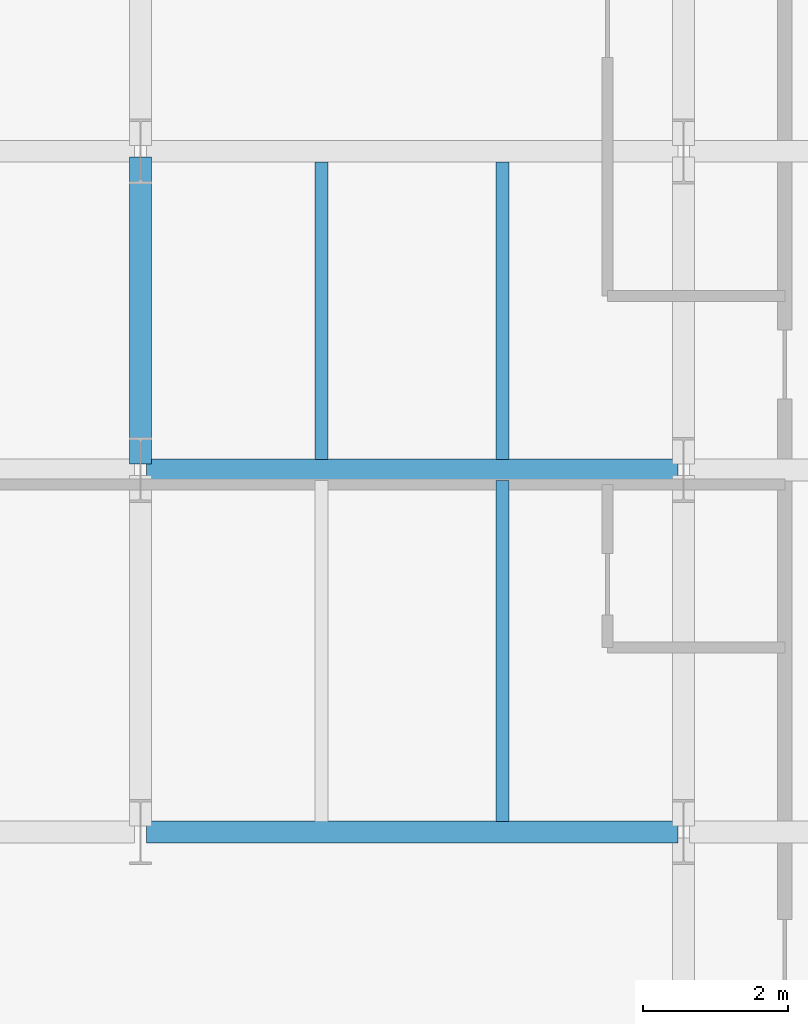
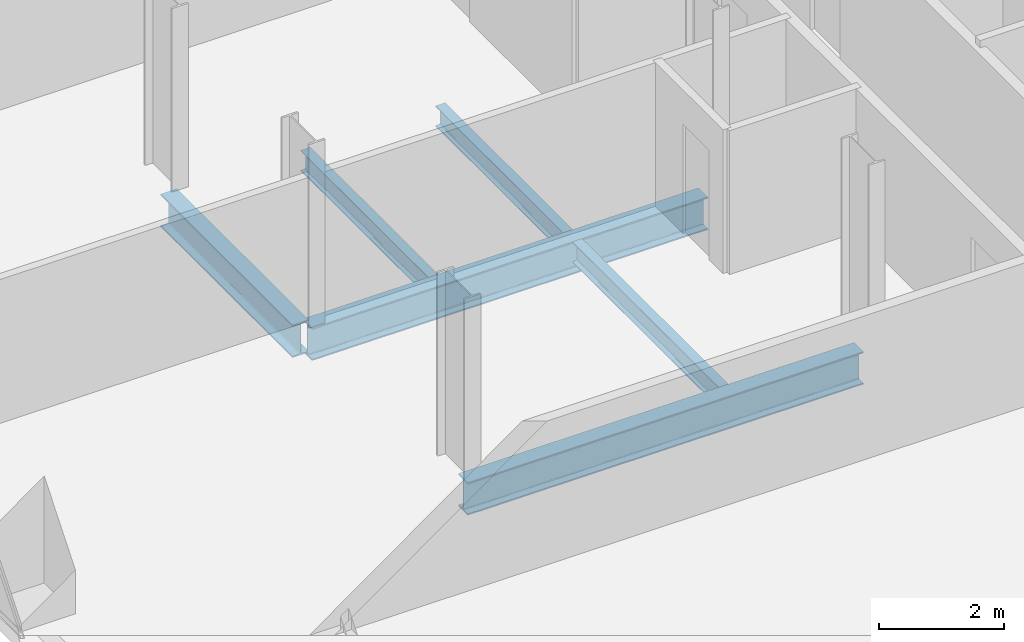
# One storey, part 5 of 31: 6 beams.
"""IFC4 building model written with IfcOpenShell, lengths in metres."""

from ifc_helpers import new_model, si_unit, direction, frame, origin, origin_2d, place, context, subcontext, project, spatial, i_section, extrude, material, material_profile, profile_set, type_object, element, save


model = new_model("IFC4")

# Units and contexts
model_context = context("Model", 3, precision=1e-05, world=origin(), true_north=direction((0.0, 1.0)))
body_context = subcontext(model_context, "Body", "Model", "MODEL_VIEW")
ifc_project = project(units=[si_unit("LENGTHUNIT", "METRE"), si_unit("AREAUNIT", "SQUARE_METRE"), si_unit("VOLUMEUNIT", "CUBIC_METRE"), si_unit("PLANEANGLEUNIT", "RADIAN"), si_unit("MASSUNIT", "GRAM", prefix="KILO")], contexts=[model_context])

# Site, building, storey
site_placement = place(None, origin())
site = spatial("IfcSite", under=ifc_project, at=site_placement, CompositionType="ELEMENT")
building_placement = place(site_placement, origin())
building = spatial("IfcBuilding", under=site, at=building_placement, Name="Catumbela Crestline Tower", CompositionType="ELEMENT")
storey_placement = place(building_placement, frame((0.0, 0.0, 36.6)))
storey = spatial("IfcBuildingStorey", under=building, at=storey_placement, Name="L08", CompositionType="ELEMENT", Elevation=36.6)

# Beams
ifc_material = material(Name="Structural steel S355J2", Category="steel")
ifc_material_profile_1 = material_profile(ifc_material, i_section(OverallWidth=0.3, OverallDepth=0.64, WebThickness=0.0135, FlangeThickness=0.026, FilletRadius=0.027, at=origin_2d()), Name="HEA 650")
ifc_profile_set_1 = profile_set([ifc_material_profile_1], Name="Structural steel S355J2")
beam_type_1 = type_object("IfcBeamType", Name="BG-HEA650", PredefinedType="BEAM", material=ifc_profile_set_1)
for number, where, z_axis, x_axis, name in (
    (1, (8.58, 8.6, -0.58), (1.0, 0.0, 0.0), (0.0, 1.0, 0.0), "L08 Beam BM-L08-WEW49"),
    (2, (8.58, 13.6, -0.58), (1.0, 0.0, 0.0), (0.0, 1.0, 0.0), "L08 Beam BM-L08-WEW52"),
):
    element("IfcBeam", number, at=place(storey_placement, frame(where, z_axis=z_axis, x_axis=x_axis)), inside=storey, type_object=beam_type_1, Name=name, PredefinedType="BEAM", context=body_context, shape_type="SweptSolid", body=[
        extrude(i_section(OverallWidth=0.3, OverallDepth=0.64, WebThickness=0.0135, FlangeThickness=0.026, FilletRadius=0.027, at=origin_2d()), origin(), (0.0, 0.0, 1.0), 7.34),
    ])
beam_1_placement = place(storey_placement, frame((8.5, 13.68, -0.58), z_axis=(0.0, 1.0, 0.0), x_axis=(-1.0, 0.0, 0.0)))
element("IfcBeam", 3, at=beam_1_placement, inside=storey, type_object=beam_type_1, Name="L08 Beam BM-L08-WNS62", PredefinedType="BEAM", context=body_context, shape_type="SweptSolid", body=[
    extrude(i_section(OverallWidth=0.3, OverallDepth=0.64, WebThickness=0.0135, FlangeThickness=0.026, FilletRadius=0.027, at=origin_2d()), origin(), (0.0, 0.0, 1.0), 4.24),
])
ifc_material_profile_2 = material_profile(ifc_material, i_section(OverallWidth=0.18, OverallDepth=0.4, WebThickness=0.0086, FlangeThickness=0.0135, FilletRadius=0.021, at=origin_2d()), Name="IPE 400")
ifc_profile_set_2 = profile_set([ifc_material_profile_2], Name="Structural steel S355J2")
beam_type_2 = type_object("IfcBeamType", Name="BJ-IPE400", PredefinedType="JOIST", material=ifc_profile_set_2)
beam_2_placement = place(storey_placement, frame((13.5, 8.747, -0.46), z_axis=(0.0, 1.0, 0.0), x_axis=(-1.0, 0.0, 0.0)))
element("IfcBeam", 4, at=beam_2_placement, inside=storey, type_object=beam_type_2, Name="L08 Joist JS-L08-WG73", PredefinedType="JOIST", context=body_context, shape_type="SweptSolid", body=[
    extrude(i_section(OverallWidth=0.18, OverallDepth=0.4, WebThickness=0.0086, FlangeThickness=0.0135, FilletRadius=0.021, at=origin_2d()), origin(), (0.0, 0.0, 1.0), 4.706),
])
for number, where, z_axis, x_axis, name in (
    (5, (11.0, 13.747, -0.46), (0.0, 1.0, 0.0), (-1.0, 0.0, 0.0), "L08 Joist JS-L08-WG78"),
    (6, (13.5, 13.747, -0.46), (0.0, 1.0, 0.0), (-1.0, 0.0, 0.0), "L08 Joist JS-L08-WG79"),
):
    element("IfcBeam", number, at=place(storey_placement, frame(where, z_axis=z_axis, x_axis=x_axis)), inside=storey, type_object=beam_type_2, Name=name, PredefinedType="JOIST", context=body_context, shape_type="SweptSolid", body=[
        extrude(i_section(OverallWidth=0.18, OverallDepth=0.4, WebThickness=0.0086, FlangeThickness=0.0135, FilletRadius=0.021, at=origin_2d()), origin(), (0.0, 0.0, 1.0), 4.106),
    ])

save(model, "model.ifc")
